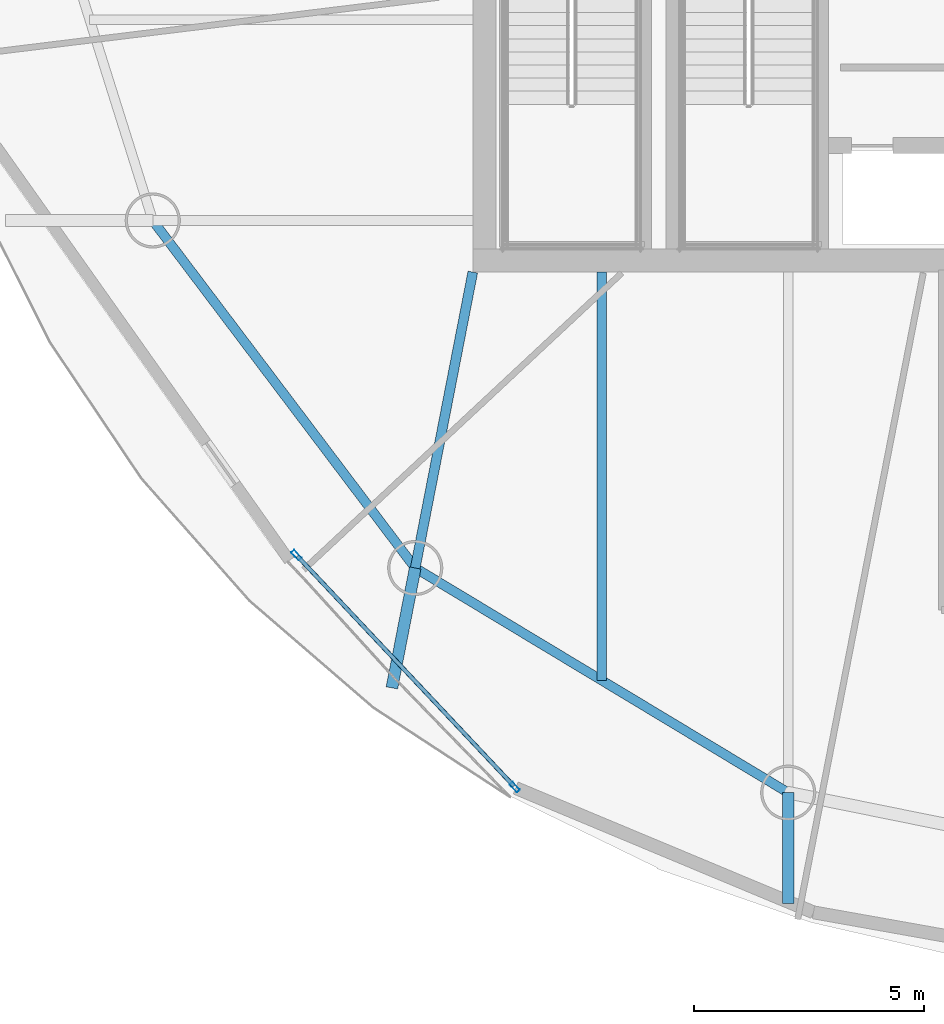
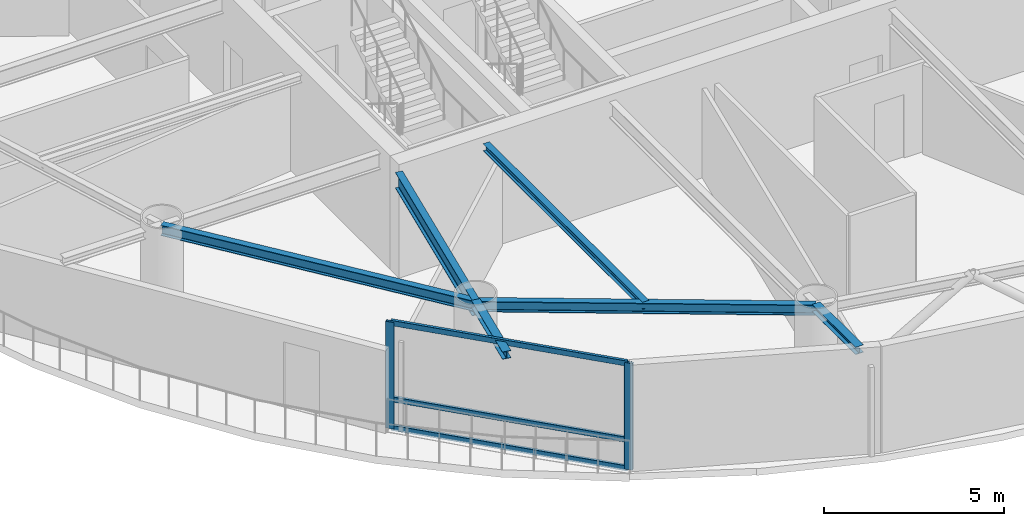
# One storey, part 2 of 16: 6 beams, 5 members, 1 element without a shape of its own.
"""IFC4 building model written with IfcOpenShell, lengths in metres."""

import ifcopenshell
import ifcopenshell.guid

model = None  # the IFC model being written
_history = None  # IfcOwnerHistory: only IFC2X3 demands one
_inside = {}  # id of a spatial element -> (the spatial element, [elements in it])
_under = {}  # id of a project, library or spatial element -> (it, [spatial elements below it])
_declared = {}  # id of a project -> (the project, [libraries it declares])
_typed = {}  # id of a type object -> (the type object, [elements of that type])
_made_of = {}  # id of a material, layer set ... -> (it, [elements and type objects made of it])


def new_model(schema):
    """Start an empty IFC model of exactly this schema.

    Asked for "IFC4X3", IfcOpenShell would pick the latest addendum, in which some entities
    have other attributes; the version numbers below select the first issue.
    IFC2X3 requires an IfcOwnerHistory on every rooted entity: one is made here for all.
    """
    global model, _history
    if schema == "IFC4X3":
        model = ifcopenshell.file(schema_version=(4, 3, 0, 0))
    else:
        model = ifcopenshell.file(schema=schema)
    _inside.clear()
    _under.clear()
    _declared.clear()
    _typed.clear()
    _made_of.clear()
    _history = None
    if model.schema == "IFC2X3":
        org = make("IfcOrganization", Name="unknown")
        user = make(
            "IfcPersonAndOrganization",
            ThePerson=make("IfcPerson", FamilyName="unknown"),
            TheOrganization=org,
        )
        app = make(
            "IfcApplication",
            ApplicationDeveloper=org,
            Version="unknown",
            ApplicationFullName="unknown",
            ApplicationIdentifier="unknown",
        )
        _history = make(
            "IfcOwnerHistory",
            OwningUser=user,
            OwningApplication=app,
            ChangeAction="ADDED",
            CreationDate=0,
        )
    return model


def make(cls, **values):
    """One entity of the class cls with the attributes given. An attribute that is None is left unset."""
    return model.create_entity(
        cls, **{name: value for name, value in values.items() if value is not None}
    )


def rooted(cls, **values):
    """An entity with a GlobalId (a new one), such as an element, a storey or a relation."""
    return make(cls, GlobalId=ifcopenshell.guid.new(), OwnerHistory=_history, **values)


def si_unit(unit_type, name, prefix=None):
    """IfcSIUnit, for example si_unit("LENGTHUNIT", "METRE", prefix="MILLI")."""
    return make("IfcSIUnit", UnitType=unit_type, Prefix=prefix, Name=name)


def assignment(units):
    """IfcUnitAssignment: the units of a project."""
    return None if units is None else make("IfcUnitAssignment", Units=units)


def point(xyz):
    """IfcCartesianPoint."""
    return None if xyz is None else make("IfcCartesianPoint", Coordinates=xyz)


def direction(xyz):
    """IfcDirection."""
    return None if xyz is None else make("IfcDirection", DirectionRatios=xyz)


def frame(location, z_axis=None, x_axis=None):
    """IfcAxis2Placement3D, a coordinate frame: its origin and axes. An axis left out is left unset."""
    return make(
        "IfcAxis2Placement3D",
        Location=point(location),
        Axis=direction(z_axis),
        RefDirection=direction(x_axis),
    )


def frame_2d(location, x_axis=None):
    """IfcAxis2Placement2D, a coordinate frame in the plane: its origin and x axis."""
    return make(
        "IfcAxis2Placement2D", Location=point(location), RefDirection=direction(x_axis)
    )


def origin():
    """The frame at (0, 0, 0) with its axes left unset."""
    return frame((0.0, 0.0, 0.0))


def origin_2d():
    """The frame at (0, 0) in the plane with its x axis left unset."""
    return frame_2d((0.0, 0.0))


def place(relative_to, where):
    """IfcLocalPlacement: puts the frame where relative to a parent placement (None: the world)."""
    return make(
        "IfcLocalPlacement", PlacementRelTo=relative_to, RelativePlacement=where
    )


def context(
    kind, dimensions, precision=None, world=None, true_north=None, identifier=None
):
    """IfcGeometricRepresentationContext, for example the 3D "Model" context."""
    return make(
        "IfcGeometricRepresentationContext",
        ContextIdentifier=identifier,
        ContextType=kind,
        CoordinateSpaceDimension=dimensions,
        Precision=precision,
        WorldCoordinateSystem=world,
        TrueNorth=true_north,
    )


def subcontext(parent, identifier, kind, view, scale=None):
    """IfcGeometricRepresentationSubContext, for example "Body" below "Model"."""
    return make(
        "IfcGeometricRepresentationSubContext",
        ContextIdentifier=identifier,
        ContextType=kind,
        ParentContext=parent,
        TargetScale=scale,
        TargetView=view,
    )


def project(units=None, contexts=None):
    """IfcProject with its units and contexts."""
    return rooted(
        "IfcProject",
        Name="project",
        RepresentationContexts=contexts,
        UnitsInContext=assignment(units),
    )


def spatial(cls, under=None, at=None, **own):
    """A site, building, storey or space (cls), placed at a placement, below another one or the project."""
    s = rooted(cls, ObjectPlacement=at, **own)
    if under is not None:
        _under.setdefault(under.id(), (under, []))[1].append(s)
    return s


def profile(cls, at=None, kind="AREA", **sizes):
    """A parametric profile (cls). Its sizes go by their IFC names, for example OverallWidth=200.0."""
    return make(cls, ProfileType=kind, Position=at, **sizes)


def hollow_rectangle(**sizes):
    """IfcRectangleHollowProfileDef."""
    return profile("IfcRectangleHollowProfileDef", **sizes)


def i_section(**sizes):
    """IfcIShapeProfileDef."""
    return profile("IfcIShapeProfileDef", **sizes)


def extrude(swept, where, along, depth):
    """IfcExtrudedAreaSolid: the profile swept, set in the frame where, extruded along a direction by depth."""
    return make(
        "IfcExtrudedAreaSolid",
        SweptArea=swept,
        Position=where,
        ExtrudedDirection=direction(along),
        Depth=depth,
    )


def shape(context_of_items, identifier, shape_type, items):
    """IfcShapeRepresentation: the items that make up one representation, for example the "Body"."""
    return make(
        "IfcShapeRepresentation",
        ContextOfItems=context_of_items,
        RepresentationIdentifier=identifier,
        RepresentationType=shape_type,
        Items=items,
    )


def material(Name=None, Category=None):
    """IfcMaterial."""
    return make("IfcMaterial", Name=Name, Category=Category)


def layer(
    of_material, thickness, ventilated=None, Name=None, Category=None, Priority=None
):
    """IfcMaterialLayer: one layer of a wall or slab, of a material (None: an air gap)."""
    return make(
        "IfcMaterialLayer",
        Material=of_material,
        LayerThickness=thickness,
        IsVentilated=ventilated,
        Name=Name,
        Category=Category,
        Priority=Priority,
    )


def layer_set(layers, Name=None):
    """IfcMaterialLayerSet."""
    return make("IfcMaterialLayerSet", MaterialLayers=layers, LayerSetName=Name)


def material_profile(
    of_material, cross_section, Name=None, Category=None, Priority=None
):
    """IfcMaterialProfile: a cross section and its material."""
    return make(
        "IfcMaterialProfile",
        Name=Name,
        Material=of_material,
        Profile=cross_section,
        Priority=Priority,
        Category=Category,
    )


def profile_set(profiles, Name=None, composite=None):
    """IfcMaterialProfileSet."""
    return make(
        "IfcMaterialProfileSet",
        Name=Name,
        MaterialProfiles=profiles,
        CompositeProfile=composite,
    )


def made_of(thing, what):
    """Note that an element or type object is made of a material, layer set ...; save() writes the relation."""
    if what is not None:
        _made_of.setdefault(what.id(), (what, []))[1].append(thing)
    return thing


def type_object(cls, material=None, **own):
    """A type object (cls), such as IfcWallType, which elements share."""
    return made_of(rooted(cls, **own), material)


def element(
    cls,
    number,
    at=None,
    inside=None,
    cuts=None,
    type_object=None,
    material=None,
    context=None,
    identifier="Body",
    shape_type=None,
    held_by="IfcProductDefinitionShape",
    body=None,
    shapes=None,
    **own,
):
    """One element of the class cls, such as IfcWall. Its Tag is "e" and its number.

    at: its placement. inside: the storey or other place that contains it. cuts: it is an
    opening in that element (IfcRelVoidsElement). A single representation is given by context,
    identifier, shape_type and body (its items); several are given by shapes. held_by: the class
    of the entity that holds the representations. save() writes the other relations.
    """
    e = rooted(cls, Tag="e%d" % number, ObjectPlacement=at, **own)
    if body is not None:
        shapes = [shape(context, identifier, shape_type, body)]
    if shapes is not None:
        e.Representation = make(held_by, Representations=shapes)
    if inside is not None:
        _inside.setdefault(inside.id(), (inside, []))[1].append(e)
    if cuts is not None:
        rooted(
            "IfcRelVoidsElement", RelatingBuildingElement=cuts, RelatedOpeningElement=e
        )
    if type_object is not None:
        _typed.setdefault(type_object.id(), (type_object, []))[1].append(e)
    return made_of(e, material)


def aggregate(whole, parts):
    """IfcRelAggregates: a whole, such as a stair, and the parts it consists of."""
    return rooted("IfcRelAggregates", RelatingObject=whole, RelatedObjects=parts)


def save(model, path):
    """Write the relations noted so far, then the file.

    IfcRelAggregates (storeys below a building ...), IfcRelContainedInSpatialStructure (elements
    in a storey), IfcRelDefinesByType, IfcRelAssociatesMaterial and IfcRelDeclares: one each for
    every whole, place, type object, material and project.
    """
    for whole, parts in _under.values():
        aggregate(whole, parts)
    for where, things in _inside.values():
        rooted(
            "IfcRelContainedInSpatialStructure",
            RelatedElements=things,
            RelatingStructure=where,
        )
    for kind, things in _typed.values():
        rooted("IfcRelDefinesByType", RelatedObjects=things, RelatingType=kind)
    for what, things in _made_of.values():
        rooted("IfcRelAssociatesMaterial", RelatedObjects=things, RelatingMaterial=what)
    for by, libraries in _declared.values():
        rooted("IfcRelDeclares", RelatingContext=by, RelatedDefinitions=libraries)
    model.write(path)


model = new_model("IFC4")

# Units and contexts
model_context = context("Model", 3, precision=1e-05, world=origin(), true_north=direction((0.0, 1.0)))
body_context = subcontext(model_context, "Body", "Model", "MODEL_VIEW")
ifc_project = project(units=[si_unit("LENGTHUNIT", "METRE"), si_unit("AREAUNIT", "SQUARE_METRE"), si_unit("VOLUMEUNIT", "CUBIC_METRE"), si_unit("PLANEANGLEUNIT", "RADIAN"), si_unit("MASSUNIT", "GRAM", prefix="KILO")], contexts=[model_context])

# Site, building, storey
site_placement = place(None, origin())
site = spatial("IfcSite", under=ifc_project, at=site_placement, CompositionType="ELEMENT")
building_placement = place(site_placement, origin())
building = spatial("IfcBuilding", under=site, at=building_placement, Name="Bramvorn Convention Spire", CompositionType="ELEMENT")
storey_placement = place(building_placement, frame((0.0, 0.0, 209.699951171875)))
storey = spatial("IfcBuildingStorey", under=building, at=storey_placement, Name="L53", CompositionType="ELEMENT", Elevation=209.699951171875)

# Beams
ifc_material_1 = material(Name="Steel CSA G40.21 Grade 350 (350W)", Category="steel")
ifc_material_profile_1 = material_profile(ifc_material_1, i_section(OverallWidth=0.201904296875, OverallDepth=0.2470703125, WebThickness=0.00732421875, FlangeThickness=0.010986328125, FilletRadius=0.011962890625, at=origin_2d()))
ifc_profile_set_1 = profile_set([ifc_material_profile_1], Name="Steel CSA G40.21 Grade 350 (350W) - W250X49")
beam_type_1 = type_object("IfcBeamType", Name="BM-W250X49", PredefinedType="JOIST", material=ifc_profile_set_1)
beam_1_placement = place(storey_placement, frame((29.554443359375, 18.550048828125, 3.49658203125), z_axis=(0.0, -1.0, 0.0), x_axis=(1.0, 0.0, 0.0)))
element("IfcBeam", 1, at=beam_1_placement, inside=storey, type_object=beam_type_1, Name="L53 composite floor joist 13", PredefinedType="JOIST", context=body_context, shape_type="SweptSolid", body=[
    extrude(i_section(OverallWidth=0.201904296875, OverallDepth=0.2470703125, WebThickness=0.00732421875, FlangeThickness=0.010986328125, FilletRadius=0.011962890625, at=origin_2d()), origin(), (0.0, 0.0, 1.0), 8.878662109375),
])
ifc_material_profile_2 = material_profile(ifc_material_1, i_section(OverallWidth=0.25390625, OverallDepth=0.2529296875, WebThickness=0.008544921875, FlangeThickness=0.01416015625, FilletRadius=0.011962890625, at=origin_2d()))
ifc_profile_set_2 = profile_set([ifc_material_profile_2], Name="Steel CSA G40.21 Grade 350 (350W) - W250X73")
beam_type_2 = type_object("IfcBeamType", Name="BM-W250X73", PredefinedType="BEAM", material=ifc_profile_set_2)
beam_2_placement = place(storey_placement, frame((25.498046875, 12.114990234375, 3.49365234375), z_axis=(-0.191041824083, -0.981581897475, 0.0), x_axis=(0.981581897475, -0.191041824083, 0.0)))
element("IfcBeam", 2, at=beam_2_placement, inside=storey, type_object=beam_type_2, Name="L53 slab-edge cantilever tip beam MC13", PredefinedType="BEAM", context=body_context, shape_type="SweptSolid", body=[
    extrude(i_section(OverallWidth=0.25390625, OverallDepth=0.2529296875, WebThickness=0.008544921875, FlangeThickness=0.01416015625, FilletRadius=0.011962890625, at=origin_2d()), origin(), (0.0, 0.0, 1.0), 2.65673828125),
])
beam_3_placement = place(storey_placement, frame((33.61083984375, 7.227783203125, 3.49365234375), z_axis=(0.0, -1.0, 0.0), x_axis=(1.0, 0.0, 0.0)))
element("IfcBeam", 3, at=beam_3_placement, inside=storey, type_object=beam_type_2, Name="L53 slab-edge cantilever tip beam MC14", PredefinedType="BEAM", context=body_context, shape_type="SweptSolid", body=[
    extrude(i_section(OverallWidth=0.25390625, OverallDepth=0.2529296875, WebThickness=0.008544921875, FlangeThickness=0.01416015625, FilletRadius=0.011962890625, at=origin_2d()), origin(), (0.0, 0.0, 1.0), 2.407958984375),
])
ifc_material_profile_3 = material_profile(ifc_material_1, i_section(OverallWidth=0.205078125, OverallDepth=0.35400390625, WebThickness=0.009521484375, FlangeThickness=0.016845703125, FilletRadius=0.014892578125, at=origin_2d()))
ifc_profile_set_3 = profile_set([ifc_material_profile_3], Name="Steel CSA G40.21 Grade 350 (350W) - W360X79")
beam_type_3 = type_object("IfcBeamType", Name="BM-W360X79", PredefinedType="JOIST", material=ifc_profile_set_3)
for number, where, z_axis, x_axis, name in (
    (4, (19.78955078125, 19.672607421875, 3.443115234375), (0.602718581414, -0.797953827999, 0.0), (0.797953827999, 0.602718581414, 0.0), "L53 mega-column ring beam 12"),
    (5, (25.498046875, 12.114990234375, 3.443115234375), (0.856581795745, -0.516011266543, 0.0), (0.516011266543, 0.856581795745, 0.0), "L53 mega-column ring beam 13"),
):
    element("IfcBeam", number, at=place(storey_placement, frame(where, z_axis=z_axis, x_axis=x_axis)), inside=storey, type_object=beam_type_3, Name=name, PredefinedType="JOIST", context=body_context, shape_type="SweptSolid", body=[
        extrude(i_section(OverallWidth=0.205078125, OverallDepth=0.35400390625, WebThickness=0.009521484375, FlangeThickness=0.016845703125, FilletRadius=0.014892578125, at=origin_2d()), origin(), (0.0, 0.0, 1.0), 9.47119140625),
    ])
ifc_material_profile_4 = material_profile(ifc_material_1, i_section(OverallWidth=0.2119140625, OverallDepth=0.5439453125, WebThickness=0.01318359375, FlangeThickness=0.021240234375, FilletRadius=0.01904296875, at=origin_2d()))
ifc_profile_set_4 = profile_set([ifc_material_profile_4], Name="Steel CSA G40.21 Grade 350 (350W) - W530X123")
beam_type_4 = type_object("IfcBeamType", Name="BM-W530X123", PredefinedType="BEAM", material=ifc_profile_set_4)
beam_4_placement = place(storey_placement, frame((26.75, 18.550048828125, 3.34814453125), z_axis=(-0.190971329886, -0.981595614885, 0.0), x_axis=(0.981595614885, -0.190971329886, 0.0)))
element("IfcBeam", 6, at=beam_4_placement, inside=storey, type_object=beam_type_4, Name="L53 radial floor girder MC13", PredefinedType="BEAM", context=body_context, shape_type="SweptSolid", body=[
    extrude(i_section(OverallWidth=0.2119140625, OverallDepth=0.5439453125, WebThickness=0.01318359375, FlangeThickness=0.021240234375, FilletRadius=0.01904296875, at=origin_2d()), origin(), (0.0, 0.0, 1.0), 6.5556640625),
])

# Curtain wall, members
ifc_material_2 = material(Name="Anodised Bronze Unitised Curtain Wall", Category="aluminium")
ifc_layer = layer(ifc_material_2, 0.219970703125)
ifc_layer_set = layer_set([ifc_layer], Name="Anodised Bronze Unitised Curtain Wall - CW-SKYGARDEN")
curtain_wall_type = type_object("IfcCurtainWallType", Name="CW-SKYGARDEN", PredefinedType="USERDEFINED", material=ifc_layer_set)
curtain_wall_placement = place(storey_placement, origin())
curtain_wall = element("IfcCurtainWall", 7, at=curtain_wall_placement, inside=storey, type_object=curtain_wall_type, Name="L53 Sky Garden glazed facade 19", ObjectType="WINTER GARDEN GLAZING", PredefinedType="USERDEFINED")
ifc_material_3 = material(Name="Anodised Bronze Aluminium 6063-T6", Category="aluminium")
ifc_material_profile_5 = material_profile(ifc_material_3, hollow_rectangle(XDim=0.090087890625, YDim=0.239990234375, WallThickness=0.00439453125, InnerFilletRadius=0.0009765625, OuterFilletRadius=0.00439453125, at=origin_2d()))
ifc_profile_set_5 = profile_set([ifc_material_profile_5], Name="Anodised Bronze Aluminium 6063-T6 - CWM90X240")
member_type_1 = type_object("IfcMemberType", Name="CW-MUL-220", PredefinedType="MULLION", material=ifc_profile_set_5)
member_1_placement = place(storey_placement, frame((27.663330078125, 7.350341796875, 0.0), z_axis=(0.0, 0.0, 1.0), x_axis=(-0.728157556407, -0.685409784762, 0.0)))
member_1 = element("IfcMember", 8, at=member_1_placement, type_object=member_type_1, Name="CW4 mullion 1", PredefinedType="MULLION", context=body_context, shape_type="SweptSolid", body=[
    extrude(hollow_rectangle(XDim=0.090087890625, YDim=0.239990234375, WallThickness=0.00439453125, InnerFilletRadius=0.0009765625, OuterFilletRadius=0.00439453125, at=origin_2d()), origin(), (0.0, 0.0, 1.0), 3.6201171875),
])
member_2_placement = place(storey_placement, frame((22.915283203125, 12.394775390625, 0.0), z_axis=(0.0, 0.0, 1.0), x_axis=(-0.728157556407, -0.685409784762, 0.0)))
member_2 = element("IfcMember", 9, at=member_2_placement, type_object=member_type_1, Name="CW4 mullion 2", PredefinedType="MULLION", context=body_context, shape_type="SweptSolid", body=[
    extrude(hollow_rectangle(XDim=0.090087890625, YDim=0.239990234375, WallThickness=0.00439453125, InnerFilletRadius=0.0009765625, OuterFilletRadius=0.00439453125, at=origin_2d()), origin(), (0.0, 0.0, 1.0), 3.6201171875),
])
ifc_material_profile_6 = material_profile(ifc_material_3, hollow_rectangle(XDim=0.090087890625, YDim=0.179931640625, WallThickness=0.00439453125, InnerFilletRadius=0.0009765625, OuterFilletRadius=0.00439453125, at=origin_2d()))
ifc_profile_set_6 = profile_set([ifc_material_profile_6], Name="Anodised Bronze Aluminium 6063-T6 - CWT90X180")
member_type_2 = type_object("IfcMemberType", Name="CW-TRN-180", PredefinedType="USERDEFINED", material=ifc_profile_set_6)
member_3_placement = place(storey_placement, frame((27.642822265625, 7.3720703125, 0.030029296875), z_axis=(-0.685400182764, 0.728166594583, 0.0), x_axis=(-0.728166594583, -0.685400182764, 0.0)))
member_3 = element("IfcMember", 10, at=member_3_placement, type_object=member_type_2, Name="CW4 transom 1.1", ObjectType="TRANSOM", PredefinedType="USERDEFINED", context=body_context, shape_type="SweptSolid", body=[
    extrude(hollow_rectangle(XDim=0.090087890625, YDim=0.179931640625, WallThickness=0.00439453125, InnerFilletRadius=0.0009765625, OuterFilletRadius=0.00439453125, at=origin_2d()), origin(), (0.0, 0.0, 1.0), 6.86767578125),
])
member_4_placement = place(storey_placement, frame((27.642822265625, 7.3720703125, 1.0), z_axis=(-0.685400182764, 0.728166594583, 0.0), x_axis=(-0.728166594583, -0.685400182764, 0.0)))
member_4 = element("IfcMember", 11, at=member_4_placement, type_object=member_type_2, Name="CW4 transom 1.2", ObjectType="TRANSOM", PredefinedType="USERDEFINED", context=body_context, shape_type="SweptSolid", body=[
    extrude(hollow_rectangle(XDim=0.090087890625, YDim=0.179931640625, WallThickness=0.00439453125, InnerFilletRadius=0.0009765625, OuterFilletRadius=0.00439453125, at=origin_2d()), origin(), (0.0, 0.0, 1.0), 6.86767578125),
])
member_5_placement = place(storey_placement, frame((27.642822265625, 7.3720703125, 3.590087890625), z_axis=(-0.685400182764, 0.728166594583, 0.0), x_axis=(-0.728166594583, -0.685400182764, 0.0)))
member_5 = element("IfcMember", 12, at=member_5_placement, type_object=member_type_2, Name="CW4 transom 1.3", ObjectType="TRANSOM", PredefinedType="USERDEFINED", context=body_context, shape_type="SweptSolid", body=[
    extrude(hollow_rectangle(XDim=0.090087890625, YDim=0.179931640625, WallThickness=0.00439453125, InnerFilletRadius=0.0009765625, OuterFilletRadius=0.00439453125, at=origin_2d()), origin(), (0.0, 0.0, 1.0), 6.86767578125),
])
aggregate(curtain_wall, [member_1, member_2, member_3, member_4, member_5])

save(model, "model.ifc")
